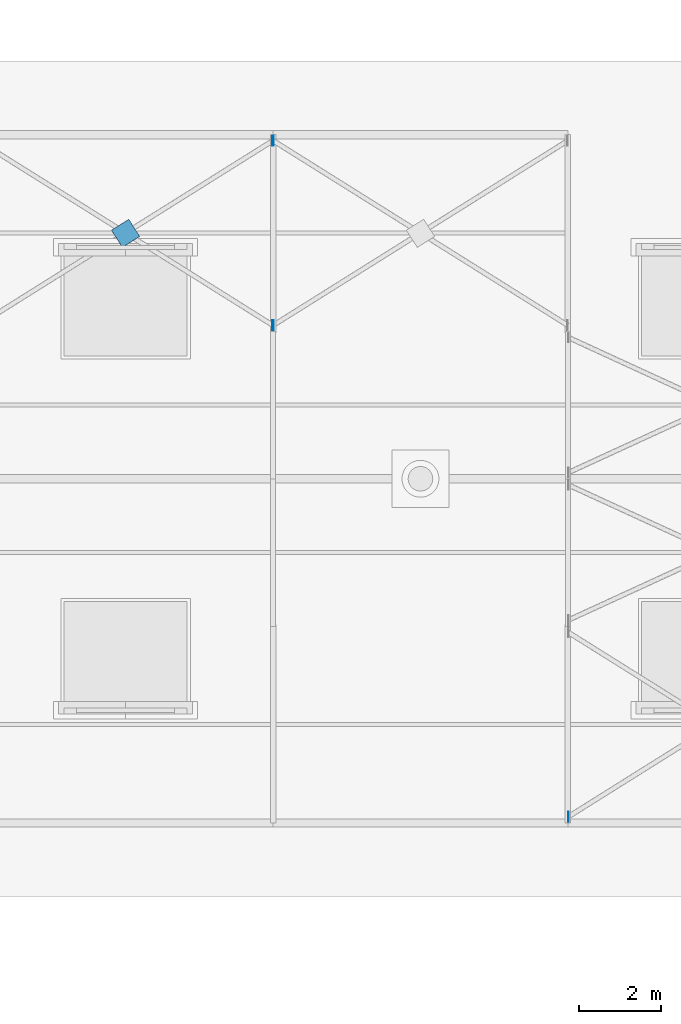
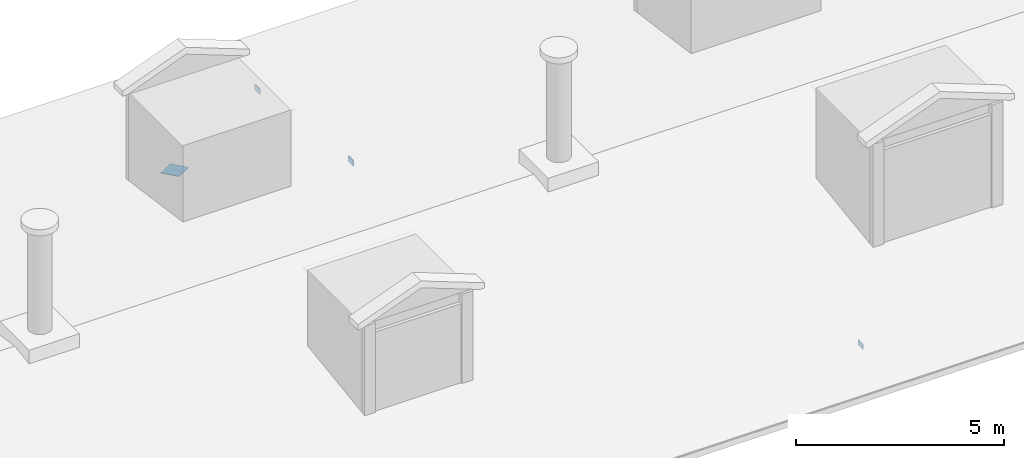
# One storey, part 8 of 24: 6 discrete accessories.
"""IFC4 building model written with IfcOpenShell, lengths in metres."""

import ifcopenshell
import ifcopenshell.guid

model = None  # the IFC model being written
_history = None  # IfcOwnerHistory: only IFC2X3 demands one
_inside = {}  # id of a spatial element -> (the spatial element, [elements in it])
_under = {}  # id of a project, library or spatial element -> (it, [spatial elements below it])
_declared = {}  # id of a project -> (the project, [libraries it declares])
_typed = {}  # id of a type object -> (the type object, [elements of that type])
_made_of = {}  # id of a material, layer set ... -> (it, [elements and type objects made of it])


def new_model(schema):
    """Start an empty IFC model of exactly this schema.

    Asked for "IFC4X3", IfcOpenShell would pick the latest addendum, in which some entities
    have other attributes; the version numbers below select the first issue.
    IFC2X3 requires an IfcOwnerHistory on every rooted entity: one is made here for all.
    """
    global model, _history
    if schema == "IFC4X3":
        model = ifcopenshell.file(schema_version=(4, 3, 0, 0))
    else:
        model = ifcopenshell.file(schema=schema)
    _inside.clear()
    _under.clear()
    _declared.clear()
    _typed.clear()
    _made_of.clear()
    _history = None
    if model.schema == "IFC2X3":
        org = make("IfcOrganization", Name="unknown")
        user = make(
            "IfcPersonAndOrganization",
            ThePerson=make("IfcPerson", FamilyName="unknown"),
            TheOrganization=org,
        )
        app = make(
            "IfcApplication",
            ApplicationDeveloper=org,
            Version="unknown",
            ApplicationFullName="unknown",
            ApplicationIdentifier="unknown",
        )
        _history = make(
            "IfcOwnerHistory",
            OwningUser=user,
            OwningApplication=app,
            ChangeAction="ADDED",
            CreationDate=0,
        )
    return model


def make(cls, **values):
    """One entity of the class cls with the attributes given. An attribute that is None is left unset."""
    return model.create_entity(
        cls, **{name: value for name, value in values.items() if value is not None}
    )


def rooted(cls, **values):
    """An entity with a GlobalId (a new one), such as an element, a storey or a relation."""
    return make(cls, GlobalId=ifcopenshell.guid.new(), OwnerHistory=_history, **values)


def si_unit(unit_type, name, prefix=None):
    """IfcSIUnit, for example si_unit("LENGTHUNIT", "METRE", prefix="MILLI")."""
    return make("IfcSIUnit", UnitType=unit_type, Prefix=prefix, Name=name)


def assignment(units):
    """IfcUnitAssignment: the units of a project."""
    return None if units is None else make("IfcUnitAssignment", Units=units)


def point(xyz):
    """IfcCartesianPoint."""
    return None if xyz is None else make("IfcCartesianPoint", Coordinates=xyz)


def direction(xyz):
    """IfcDirection."""
    return None if xyz is None else make("IfcDirection", DirectionRatios=xyz)


def frame(location, z_axis=None, x_axis=None):
    """IfcAxis2Placement3D, a coordinate frame: its origin and axes. An axis left out is left unset."""
    return make(
        "IfcAxis2Placement3D",
        Location=point(location),
        Axis=direction(z_axis),
        RefDirection=direction(x_axis),
    )


def frame_2d(location, x_axis=None):
    """IfcAxis2Placement2D, a coordinate frame in the plane: its origin and x axis."""
    return make(
        "IfcAxis2Placement2D", Location=point(location), RefDirection=direction(x_axis)
    )


def origin():
    """The frame at (0, 0, 0) with its axes left unset."""
    return frame((0.0, 0.0, 0.0))


def origin_2d():
    """The frame at (0, 0) in the plane with its x axis left unset."""
    return frame_2d((0.0, 0.0))


def place(relative_to, where):
    """IfcLocalPlacement: puts the frame where relative to a parent placement (None: the world)."""
    return make(
        "IfcLocalPlacement", PlacementRelTo=relative_to, RelativePlacement=where
    )


def context(
    kind, dimensions, precision=None, world=None, true_north=None, identifier=None
):
    """IfcGeometricRepresentationContext, for example the 3D "Model" context."""
    return make(
        "IfcGeometricRepresentationContext",
        ContextIdentifier=identifier,
        ContextType=kind,
        CoordinateSpaceDimension=dimensions,
        Precision=precision,
        WorldCoordinateSystem=world,
        TrueNorth=true_north,
    )


def subcontext(parent, identifier, kind, view, scale=None):
    """IfcGeometricRepresentationSubContext, for example "Body" below "Model"."""
    return make(
        "IfcGeometricRepresentationSubContext",
        ContextIdentifier=identifier,
        ContextType=kind,
        ParentContext=parent,
        TargetScale=scale,
        TargetView=view,
    )


def project(units=None, contexts=None):
    """IfcProject with its units and contexts."""
    return rooted(
        "IfcProject",
        Name="project",
        RepresentationContexts=contexts,
        UnitsInContext=assignment(units),
    )


def spatial(cls, under=None, at=None, **own):
    """A site, building, storey or space (cls), placed at a placement, below another one or the project."""
    s = rooted(cls, ObjectPlacement=at, **own)
    if under is not None:
        _under.setdefault(under.id(), (under, []))[1].append(s)
    return s


def profile(cls, at=None, kind="AREA", **sizes):
    """A parametric profile (cls). Its sizes go by their IFC names, for example OverallWidth=200.0."""
    return make(cls, ProfileType=kind, Position=at, **sizes)


def rectangle(**sizes):
    """IfcRectangleProfileDef."""
    return profile("IfcRectangleProfileDef", **sizes)


def extrude(swept, where, along, depth):
    """IfcExtrudedAreaSolid: the profile swept, set in the frame where, extruded along a direction by depth."""
    return make(
        "IfcExtrudedAreaSolid",
        SweptArea=swept,
        Position=where,
        ExtrudedDirection=direction(along),
        Depth=depth,
    )


def shape(context_of_items, identifier, shape_type, items):
    """IfcShapeRepresentation: the items that make up one representation, for example the "Body"."""
    return make(
        "IfcShapeRepresentation",
        ContextOfItems=context_of_items,
        RepresentationIdentifier=identifier,
        RepresentationType=shape_type,
        Items=items,
    )


def material(Name=None, Category=None):
    """IfcMaterial."""
    return make("IfcMaterial", Name=Name, Category=Category)


def material_profile(
    of_material, cross_section, Name=None, Category=None, Priority=None
):
    """IfcMaterialProfile: a cross section and its material."""
    return make(
        "IfcMaterialProfile",
        Name=Name,
        Material=of_material,
        Profile=cross_section,
        Priority=Priority,
        Category=Category,
    )


def profile_set(profiles, Name=None, composite=None):
    """IfcMaterialProfileSet."""
    return make(
        "IfcMaterialProfileSet",
        Name=Name,
        MaterialProfiles=profiles,
        CompositeProfile=composite,
    )


def made_of(thing, what):
    """Note that an element or type object is made of a material, layer set ...; save() writes the relation."""
    if what is not None:
        _made_of.setdefault(what.id(), (what, []))[1].append(thing)
    return thing


def type_object(cls, material=None, **own):
    """A type object (cls), such as IfcWallType, which elements share."""
    return made_of(rooted(cls, **own), material)


def element(
    cls,
    number,
    at=None,
    inside=None,
    cuts=None,
    type_object=None,
    material=None,
    context=None,
    identifier="Body",
    shape_type=None,
    held_by="IfcProductDefinitionShape",
    body=None,
    shapes=None,
    **own,
):
    """One element of the class cls, such as IfcWall. Its Tag is "e" and its number.

    at: its placement. inside: the storey or other place that contains it. cuts: it is an
    opening in that element (IfcRelVoidsElement). A single representation is given by context,
    identifier, shape_type and body (its items); several are given by shapes. held_by: the class
    of the entity that holds the representations. save() writes the other relations.
    """
    e = rooted(cls, Tag="e%d" % number, ObjectPlacement=at, **own)
    if body is not None:
        shapes = [shape(context, identifier, shape_type, body)]
    if shapes is not None:
        e.Representation = make(held_by, Representations=shapes)
    if inside is not None:
        _inside.setdefault(inside.id(), (inside, []))[1].append(e)
    if cuts is not None:
        rooted(
            "IfcRelVoidsElement", RelatingBuildingElement=cuts, RelatedOpeningElement=e
        )
    if type_object is not None:
        _typed.setdefault(type_object.id(), (type_object, []))[1].append(e)
    return made_of(e, material)


def aggregate(whole, parts):
    """IfcRelAggregates: a whole, such as a stair, and the parts it consists of."""
    return rooted("IfcRelAggregates", RelatingObject=whole, RelatedObjects=parts)


def save(model, path):
    """Write the relations noted so far, then the file.

    IfcRelAggregates (storeys below a building ...), IfcRelContainedInSpatialStructure (elements
    in a storey), IfcRelDefinesByType, IfcRelAssociatesMaterial and IfcRelDeclares: one each for
    every whole, place, type object, material and project.
    """
    for whole, parts in _under.values():
        aggregate(whole, parts)
    for where, things in _inside.values():
        rooted(
            "IfcRelContainedInSpatialStructure",
            RelatedElements=things,
            RelatingStructure=where,
        )
    for kind, things in _typed.values():
        rooted("IfcRelDefinesByType", RelatedObjects=things, RelatingType=kind)
    for what, things in _made_of.values():
        rooted("IfcRelAssociatesMaterial", RelatedObjects=things, RelatingMaterial=what)
    for by, libraries in _declared.values():
        rooted("IfcRelDeclares", RelatingContext=by, RelatedDefinitions=libraries)
    model.write(path)


model = new_model("IFC4")

# Units and contexts
model_context = context("Model", 3, precision=1e-05, world=origin(), true_north=direction((0.0, 1.0)))
body_context = subcontext(model_context, "Body", "Model", "MODEL_VIEW")
ifc_project = project(units=[si_unit("LENGTHUNIT", "METRE"), si_unit("AREAUNIT", "SQUARE_METRE"), si_unit("VOLUMEUNIT", "CUBIC_METRE"), si_unit("PLANEANGLEUNIT", "RADIAN"), si_unit("MASSUNIT", "GRAM", prefix="KILO")], contexts=[model_context])

# Site, building, storey
site_placement = place(None, origin())
site = spatial("IfcSite", under=ifc_project, at=site_placement, CompositionType="ELEMENT")
building_placement = place(site_placement, origin())
building = spatial("IfcBuilding", under=site, at=building_placement, Name="Ussher Court Research Institute", CompositionType="ELEMENT")
storey_placement = place(building_placement, frame((0.0, 0.0, 32.39990234375)))
storey = spatial("IfcBuildingStorey", under=building, at=storey_placement, Name="L07", CompositionType="ELEMENT", Elevation=32.39990234375)

# Discrete accessories
ifc_material_1 = material(Name="Steel S355", Category="steel")
ifc_material_profile_1 = material_profile(ifc_material_1, rectangle(XDim=0.011962890625, YDim=0.239990234375, at=origin_2d()), Name="PL 12x240")
ifc_profile_set_1 = profile_set([ifc_material_profile_1], Name="Steel S355")
discrete_accessory_type_1 = type_object("IfcDiscreteAccessoryType", Name="End plate 12 mm", PredefinedType="ANCHORPLATE", material=ifc_profile_set_1)
for number, where, z_axis, x_axis, name in (
    (1, (39.00927734375, 71.35009765625, -0.10498046875), (0.0, 0.0, 1.0), (1.0, 0.0, 0.0), "GP2 V5 L07-05"),
    (2, (31.790771484375, 87.85009765625, -0.10498046875), (0.0, 0.0, 1.0), (1.0, 0.0, 0.0), "GP2 V5 L07-42"),
    (3, (31.790771484375, 83.35009765625, 0.527587890625), (0.0, 0.0, 1.0), (1.0, 0.0, 0.0), "GP2 V5 L07-44"),
    (4, (31.809326171875, 83.35009765625, 0.527587890625), (0.0, 0.0, 1.0), (1.0, 0.0, 0.0), "GP2 V5 L07-45"),
    (5, (31.809326171875, 87.85009765625, -0.10498046875), (0.0, 0.0, 1.0), (1.0, 0.0, 0.0), "GP2 V5 L07-47"),
):
    element("IfcDiscreteAccessory", number, at=place(storey_placement, frame(where, z_axis=z_axis, x_axis=x_axis)), inside=storey, type_object=discrete_accessory_type_1, Name=name, PredefinedType="ANCHORPLATE", context=body_context, shape_type="SweptSolid", body=[
        extrude(rectangle(XDim=0.011962890625, YDim=0.239990234375, at=origin_2d()), origin(), (0.0, 0.0, 1.0), 0.159912109375),
    ])
ifc_material_2 = material(Name="Steel S355", Category="steel")
ifc_material_profile_2 = material_profile(ifc_material_2, rectangle(XDim=0.5, YDim=0.011962890625, at=origin_2d()), Name="PL 500x12")
ifc_profile_set_2 = profile_set([ifc_material_profile_2], Name="Steel S355")
discrete_accessory_type_2 = type_object("IfcDiscreteAccessoryType", Name="Gusset plate 12 mm", PredefinedType="ANCHORPLATE", material=ifc_profile_set_2)
discrete_accessory_placement = place(storey_placement, frame((27.98876953125, 85.459228515625, 0.25048828125), z_axis=(0.844943835821, 0.52961528704, -0.074683077343), x_axis=(0.534855001432, -0.836719553262, 0.117603216926)))
element("IfcDiscreteAccessory", 6, at=discrete_accessory_placement, inside=storey, type_object=discrete_accessory_type_2, Name="GP1 V5 L07-11", PredefinedType="ANCHORPLATE", context=body_context, shape_type="SweptSolid", body=[
    extrude(rectangle(XDim=0.5, YDim=0.011962890625, at=origin_2d()), origin(), (0.0, 0.0, 1.0), 0.500244140625),
])

save(model, "model.ifc")
